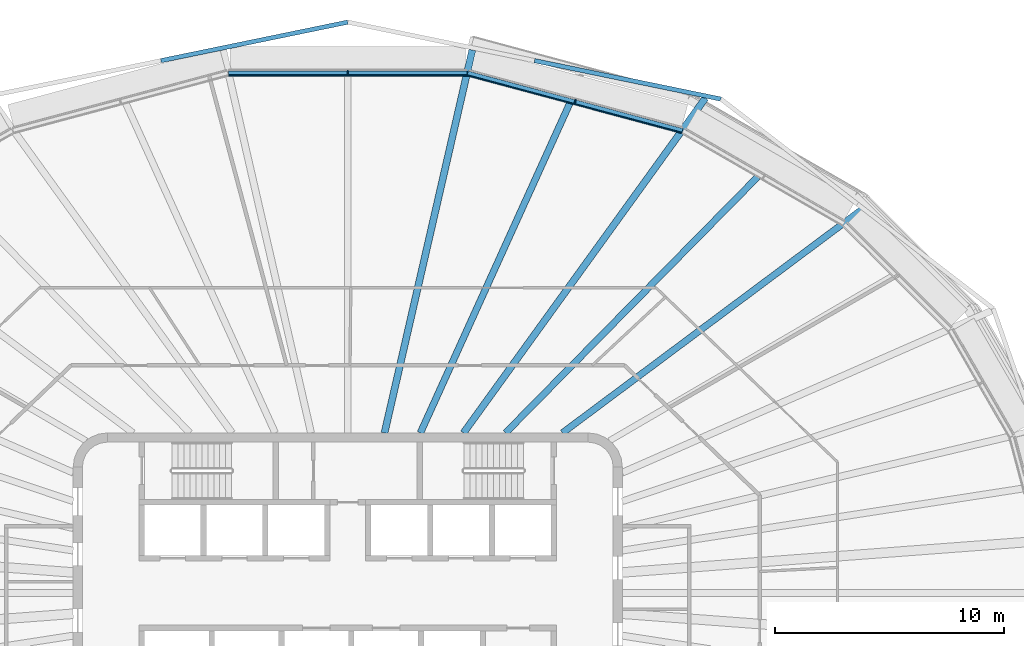
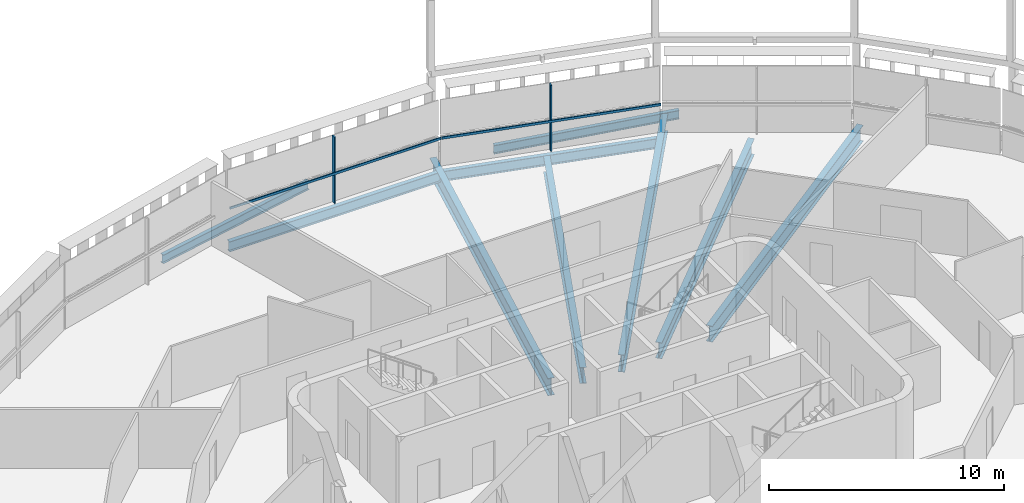
# One storey, part 7 of 20: 9 beams, 4 members, 2 elements without a shape of their own.
"""IFC4 building model written with IfcOpenShell, lengths in metres."""

import ifcopenshell
import ifcopenshell.guid

model = None  # the IFC model being written
_history = None  # IfcOwnerHistory: only IFC2X3 demands one
_inside = {}  # id of a spatial element -> (the spatial element, [elements in it])
_under = {}  # id of a project, library or spatial element -> (it, [spatial elements below it])
_declared = {}  # id of a project -> (the project, [libraries it declares])
_typed = {}  # id of a type object -> (the type object, [elements of that type])
_made_of = {}  # id of a material, layer set ... -> (it, [elements and type objects made of it])


def new_model(schema):
    """Start an empty IFC model of exactly this schema.

    Asked for "IFC4X3", IfcOpenShell would pick the latest addendum, in which some entities
    have other attributes; the version numbers below select the first issue.
    IFC2X3 requires an IfcOwnerHistory on every rooted entity: one is made here for all.
    """
    global model, _history
    if schema == "IFC4X3":
        model = ifcopenshell.file(schema_version=(4, 3, 0, 0))
    else:
        model = ifcopenshell.file(schema=schema)
    _inside.clear()
    _under.clear()
    _declared.clear()
    _typed.clear()
    _made_of.clear()
    _history = None
    if model.schema == "IFC2X3":
        org = make("IfcOrganization", Name="unknown")
        user = make(
            "IfcPersonAndOrganization",
            ThePerson=make("IfcPerson", FamilyName="unknown"),
            TheOrganization=org,
        )
        app = make(
            "IfcApplication",
            ApplicationDeveloper=org,
            Version="unknown",
            ApplicationFullName="unknown",
            ApplicationIdentifier="unknown",
        )
        _history = make(
            "IfcOwnerHistory",
            OwningUser=user,
            OwningApplication=app,
            ChangeAction="ADDED",
            CreationDate=0,
        )
    return model


def make(cls, **values):
    """One entity of the class cls with the attributes given. An attribute that is None is left unset."""
    return model.create_entity(
        cls, **{name: value for name, value in values.items() if value is not None}
    )


def rooted(cls, **values):
    """An entity with a GlobalId (a new one), such as an element, a storey or a relation."""
    return make(cls, GlobalId=ifcopenshell.guid.new(), OwnerHistory=_history, **values)


def si_unit(unit_type, name, prefix=None):
    """IfcSIUnit, for example si_unit("LENGTHUNIT", "METRE", prefix="MILLI")."""
    return make("IfcSIUnit", UnitType=unit_type, Prefix=prefix, Name=name)


def assignment(units):
    """IfcUnitAssignment: the units of a project."""
    return None if units is None else make("IfcUnitAssignment", Units=units)


def point(xyz):
    """IfcCartesianPoint."""
    return None if xyz is None else make("IfcCartesianPoint", Coordinates=xyz)


def direction(xyz):
    """IfcDirection."""
    return None if xyz is None else make("IfcDirection", DirectionRatios=xyz)


def frame(location, z_axis=None, x_axis=None):
    """IfcAxis2Placement3D, a coordinate frame: its origin and axes. An axis left out is left unset."""
    return make(
        "IfcAxis2Placement3D",
        Location=point(location),
        Axis=direction(z_axis),
        RefDirection=direction(x_axis),
    )


def frame_2d(location, x_axis=None):
    """IfcAxis2Placement2D, a coordinate frame in the plane: its origin and x axis."""
    return make(
        "IfcAxis2Placement2D", Location=point(location), RefDirection=direction(x_axis)
    )


def origin():
    """The frame at (0, 0, 0) with its axes left unset."""
    return frame((0.0, 0.0, 0.0))


def origin_2d():
    """The frame at (0, 0) in the plane with its x axis left unset."""
    return frame_2d((0.0, 0.0))


def place(relative_to, where):
    """IfcLocalPlacement: puts the frame where relative to a parent placement (None: the world)."""
    return make(
        "IfcLocalPlacement", PlacementRelTo=relative_to, RelativePlacement=where
    )


def context(
    kind, dimensions, precision=None, world=None, true_north=None, identifier=None
):
    """IfcGeometricRepresentationContext, for example the 3D "Model" context."""
    return make(
        "IfcGeometricRepresentationContext",
        ContextIdentifier=identifier,
        ContextType=kind,
        CoordinateSpaceDimension=dimensions,
        Precision=precision,
        WorldCoordinateSystem=world,
        TrueNorth=true_north,
    )


def subcontext(parent, identifier, kind, view, scale=None):
    """IfcGeometricRepresentationSubContext, for example "Body" below "Model"."""
    return make(
        "IfcGeometricRepresentationSubContext",
        ContextIdentifier=identifier,
        ContextType=kind,
        ParentContext=parent,
        TargetScale=scale,
        TargetView=view,
    )


def project(units=None, contexts=None):
    """IfcProject with its units and contexts."""
    return rooted(
        "IfcProject",
        Name="project",
        RepresentationContexts=contexts,
        UnitsInContext=assignment(units),
    )


def spatial(cls, under=None, at=None, **own):
    """A site, building, storey or space (cls), placed at a placement, below another one or the project."""
    s = rooted(cls, ObjectPlacement=at, **own)
    if under is not None:
        _under.setdefault(under.id(), (under, []))[1].append(s)
    return s


def profile(cls, at=None, kind="AREA", **sizes):
    """A parametric profile (cls). Its sizes go by their IFC names, for example OverallWidth=200.0."""
    return make(cls, ProfileType=kind, Position=at, **sizes)


def rectangle(**sizes):
    """IfcRectangleProfileDef."""
    return profile("IfcRectangleProfileDef", **sizes)


def i_section(**sizes):
    """IfcIShapeProfileDef."""
    return profile("IfcIShapeProfileDef", **sizes)


def extrude(swept, where, along, depth):
    """IfcExtrudedAreaSolid: the profile swept, set in the frame where, extruded along a direction by depth."""
    return make(
        "IfcExtrudedAreaSolid",
        SweptArea=swept,
        Position=where,
        ExtrudedDirection=direction(along),
        Depth=depth,
    )


def shape(context_of_items, identifier, shape_type, items):
    """IfcShapeRepresentation: the items that make up one representation, for example the "Body"."""
    return make(
        "IfcShapeRepresentation",
        ContextOfItems=context_of_items,
        RepresentationIdentifier=identifier,
        RepresentationType=shape_type,
        Items=items,
    )


def material(Name=None, Category=None):
    """IfcMaterial."""
    return make("IfcMaterial", Name=Name, Category=Category)


def layer(
    of_material, thickness, ventilated=None, Name=None, Category=None, Priority=None
):
    """IfcMaterialLayer: one layer of a wall or slab, of a material (None: an air gap)."""
    return make(
        "IfcMaterialLayer",
        Material=of_material,
        LayerThickness=thickness,
        IsVentilated=ventilated,
        Name=Name,
        Category=Category,
        Priority=Priority,
    )


def layer_set(layers, Name=None):
    """IfcMaterialLayerSet."""
    return make("IfcMaterialLayerSet", MaterialLayers=layers, LayerSetName=Name)


def material_profile(
    of_material, cross_section, Name=None, Category=None, Priority=None
):
    """IfcMaterialProfile: a cross section and its material."""
    return make(
        "IfcMaterialProfile",
        Name=Name,
        Material=of_material,
        Profile=cross_section,
        Priority=Priority,
        Category=Category,
    )


def profile_set(profiles, Name=None, composite=None):
    """IfcMaterialProfileSet."""
    return make(
        "IfcMaterialProfileSet",
        Name=Name,
        MaterialProfiles=profiles,
        CompositeProfile=composite,
    )


def made_of(thing, what):
    """Note that an element or type object is made of a material, layer set ...; save() writes the relation."""
    if what is not None:
        _made_of.setdefault(what.id(), (what, []))[1].append(thing)
    return thing


def type_object(cls, material=None, **own):
    """A type object (cls), such as IfcWallType, which elements share."""
    return made_of(rooted(cls, **own), material)


def element(
    cls,
    number,
    at=None,
    inside=None,
    cuts=None,
    type_object=None,
    material=None,
    context=None,
    identifier="Body",
    shape_type=None,
    held_by="IfcProductDefinitionShape",
    body=None,
    shapes=None,
    **own,
):
    """One element of the class cls, such as IfcWall. Its Tag is "e" and its number.

    at: its placement. inside: the storey or other place that contains it. cuts: it is an
    opening in that element (IfcRelVoidsElement). A single representation is given by context,
    identifier, shape_type and body (its items); several are given by shapes. held_by: the class
    of the entity that holds the representations. save() writes the other relations.
    """
    e = rooted(cls, Tag="e%d" % number, ObjectPlacement=at, **own)
    if body is not None:
        shapes = [shape(context, identifier, shape_type, body)]
    if shapes is not None:
        e.Representation = make(held_by, Representations=shapes)
    if inside is not None:
        _inside.setdefault(inside.id(), (inside, []))[1].append(e)
    if cuts is not None:
        rooted(
            "IfcRelVoidsElement", RelatingBuildingElement=cuts, RelatedOpeningElement=e
        )
    if type_object is not None:
        _typed.setdefault(type_object.id(), (type_object, []))[1].append(e)
    return made_of(e, material)


def aggregate(whole, parts):
    """IfcRelAggregates: a whole, such as a stair, and the parts it consists of."""
    return rooted("IfcRelAggregates", RelatingObject=whole, RelatedObjects=parts)


def save(model, path):
    """Write the relations noted so far, then the file.

    IfcRelAggregates (storeys below a building ...), IfcRelContainedInSpatialStructure (elements
    in a storey), IfcRelDefinesByType, IfcRelAssociatesMaterial and IfcRelDeclares: one each for
    every whole, place, type object, material and project.
    """
    for whole, parts in _under.values():
        aggregate(whole, parts)
    for where, things in _inside.values():
        rooted(
            "IfcRelContainedInSpatialStructure",
            RelatedElements=things,
            RelatingStructure=where,
        )
    for kind, things in _typed.values():
        rooted("IfcRelDefinesByType", RelatedObjects=things, RelatingType=kind)
    for what, things in _made_of.values():
        rooted("IfcRelAssociatesMaterial", RelatedObjects=things, RelatingMaterial=what)
    for by, libraries in _declared.values():
        rooted("IfcRelDeclares", RelatingContext=by, RelatedDefinitions=libraries)
    model.write(path)


model = new_model("IFC4")

# Units and contexts
model_context = context("Model", 3, precision=1e-05, world=origin(), true_north=direction((0.0, 1.0)))
body_context = subcontext(model_context, "Body", "Model", "MODEL_VIEW")
ifc_project = project(units=[si_unit("LENGTHUNIT", "METRE"), si_unit("AREAUNIT", "SQUARE_METRE"), si_unit("VOLUMEUNIT", "CUBIC_METRE"), si_unit("PLANEANGLEUNIT", "RADIAN"), si_unit("MASSUNIT", "GRAM", prefix="KILO")], contexts=[model_context])

# Site, building, storey
site_placement = place(None, origin())
site = spatial("IfcSite", under=ifc_project, at=site_placement, CompositionType="ELEMENT")
building_placement = place(site_placement, origin())
building = spatial("IfcBuilding", under=site, at=building_placement, Name="Sahrelin Media Tower", CompositionType="ELEMENT")
storey_placement = place(building_placement, frame((0.0, 0.0, 255.0)))
storey = spatial("IfcBuildingStorey", under=building, at=storey_placement, Name="L55", CompositionType="ELEMENT", Elevation=255.0)

# Beams
ifc_material_1 = material(Name="Steel S355", Category="steel")
ifc_material_profile_1 = material_profile(ifc_material_1, i_section(OverallWidth=0.208740234375, OverallDepth=0.5283203125, WebThickness=0.009521484375, FlangeThickness=0.01318359375, FilletRadius=0.0126953125, at=origin_2d()), Name="UB 533x210x82")
ifc_profile_set_1 = profile_set([ifc_material_profile_1], Name="Steel S355")
beam_type_1 = type_object("IfcBeamType", Name="Edge beam EB6", PredefinedType="BEAM", material=ifc_profile_set_1)
beam_1_placement = place(storey_placement, frame((-5.2109375, 22.71630859375, -0.414306640625), z_axis=(1.0, 0.0, 0.0), x_axis=(0.0, 1.0, 0.0)))
element("IfcBeam", 1, at=beam_1_placement, inside=storey, type_object=beam_type_1, Name="Edge beam L55-19", PredefinedType="BEAM", context=body_context, shape_type="SweptSolid", body=[
    extrude(i_section(OverallWidth=0.208740234375, OverallDepth=0.5283203125, WebThickness=0.009521484375, FlangeThickness=0.01318359375, FilletRadius=0.0126953125, at=origin_2d()), origin(), (0.0, 0.0, 1.0), 10.421875),
])
beam_2_placement = place(storey_placement, frame((5.239501953125, 22.71240234375, -0.414306640625), z_axis=(0.965930098294, -0.258803101237, 0.0), x_axis=(0.258803101237, 0.965930098294, 0.0)))
element("IfcBeam", 2, at=beam_2_placement, inside=storey, type_object=beam_type_1, Name="Edge beam L55-20", PredefinedType="BEAM", context=body_context, shape_type="SweptSolid", body=[
    extrude(i_section(OverallWidth=0.208740234375, OverallDepth=0.5283203125, WebThickness=0.009521484375, FlangeThickness=0.01318359375, FilletRadius=0.0126953125, at=origin_2d()), origin(), (0.0, 0.0, 1.0), 9.711669921875),
])

# Curtain wall, member
ifc_material_2 = material(Name="Champagne anodised aluminium 6063-T6", Category="aluminium")
ifc_layer = layer(ifc_material_2, 0.14990234375)
ifc_layer_set = layer_set([ifc_layer], Name="Tower ribbon curtain wall")
curtain_wall_type = type_object("IfcCurtainWallType", Name="Tower ribbon curtain wall", PredefinedType="NOTDEFINED", material=ifc_layer_set)
curtain_wall_1_placement = place(storey_placement, frame((9.96875, 21.6005859375, 0.0), z_axis=(0.0, 0.0, 1.0), x_axis=(1.0, 0.0, 0.0)))
curtain_wall_1 = element("IfcCurtainWall", 3, at=curtain_wall_1_placement, inside=storey, type_object=curtain_wall_type, Name="L55:CW:L55-05", PredefinedType="NOTDEFINED")
ifc_material_profile_2 = material_profile(ifc_material_2, rectangle(XDim=0.06005859375, YDim=0.199951171875, at=origin_2d()), Name="Mullion 60x200")
ifc_profile_set_2 = profile_set([ifc_material_profile_2], Name="Champagne anodised aluminium 6063-T6")
member_type_1 = type_object("IfcMemberType", Name="Mullion 60x200 CW1C", PredefinedType="MULLION", material=ifc_profile_set_2)
member_1_placement = place(storey_placement, frame((9.937744140625, 21.484619140625, 0.0), z_axis=(0.0, 0.0, 1.0), x_axis=(-0.965926729732, 0.258815673384, 0.0)))
member_1 = element("IfcMember", 4, at=member_1_placement, type_object=member_type_1, Name="L55:CWM:L55-05", PredefinedType="MULLION", context=body_context, shape_type="SweptSolid", body=[
    extrude(rectangle(XDim=0.06005859375, YDim=0.199951171875, at=origin_2d()), origin(), (0.0, 0.0, 1.0), 3.448486328125),
])

curtain_wall_2_placement = place(storey_placement, frame((0.0, 22.8662109375, 0.0), z_axis=(0.0, 0.0, 1.0), x_axis=(1.0, 0.0, 0.0)))
curtain_wall_2 = element("IfcCurtainWall", 5, at=curtain_wall_2_placement, inside=storey, type_object=curtain_wall_type, Name="L55:CW:L55-06", PredefinedType="NOTDEFINED")
member_2_placement = place(storey_placement, frame((0.0, 22.746337890625, 0.0), z_axis=(0.0, 0.0, 1.0), x_axis=(-1.0, 0.0, 0.0)))
member_2 = element("IfcMember", 6, at=member_2_placement, type_object=member_type_1, Name="L55:CWM:L55-06", PredefinedType="MULLION", context=body_context, shape_type="SweptSolid", body=[
    extrude(rectangle(XDim=0.06005859375, YDim=0.199951171875, at=origin_2d()), origin(), (0.0, 0.0, 1.0), 3.448486328125),
])

# Beams
ifc_material_profile_3 = material_profile(ifc_material_1, i_section(OverallWidth=0.291748046875, OverallDepth=0.8349609375, WebThickness=0.013916015625, FlangeThickness=0.018798828125, FilletRadius=0.017822265625, at=origin_2d()), Name="UB 838x292x176")
ifc_profile_set_3 = profile_set([ifc_material_profile_3], Name="Steel S355")
beam_type_2 = type_object("IfcBeamType", Name="Radial primary beam PB10", PredefinedType="BEAM", material=ifc_profile_set_3)
beam_3_placement = place(storey_placement, frame((9.38330078125, 7.0, -0.5673828125), z_axis=(0.801539735745, 0.597941512209, 0.0), x_axis=(-0.597941512209, 0.801539735745, 0.0)))
element("IfcBeam", 7, at=beam_3_placement, inside=storey, type_object=beam_type_2, Name="Radial beam L55-04", PredefinedType="BEAM", context=body_context, shape_type="SweptSolid", body=[
    extrude(i_section(OverallWidth=0.291748046875, OverallDepth=0.8349609375, WebThickness=0.013916015625, FlangeThickness=0.018798828125, FilletRadius=0.017822265625, at=origin_2d()), origin(), (0.0, 0.0, 1.0), 16.29736328125),
])
ifc_material_profile_4 = material_profile(ifc_material_1, i_section(OverallWidth=0.30322265625, OverallDepth=0.903076171875, WebThickness=0.01513671875, FlangeThickness=0.020263671875, FilletRadius=0.01904296875, at=origin_2d()), Name="UB 914x305x201")
ifc_profile_set_4 = profile_set([ifc_material_profile_4], Name="Steel S355")
beam_type_3 = type_object("IfcBeamType", Name="Radial primary beam PB11", PredefinedType="BEAM", material=ifc_profile_set_4)
beam_4_placement = place(storey_placement, frame((5.0576171875, 7.0, -0.6015625), z_axis=(0.585640185113, 0.810571140357, 0.0), x_axis=(-0.810571140357, 0.585640185113, 0.0)))
element("IfcBeam", 8, at=beam_4_placement, inside=storey, type_object=beam_type_3, Name="Radial beam L55-05", PredefinedType="BEAM", context=body_context, shape_type="SweptSolid", body=[
    extrude(i_section(OverallWidth=0.30322265625, OverallDepth=0.903076171875, WebThickness=0.01513671875, FlangeThickness=0.020263671875, FilletRadius=0.01904296875, at=origin_2d()), origin(), (0.0, 0.0, 1.0), 18.049072265625),
])
beam_5_placement = place(storey_placement, frame((1.605712890625, 7.0, -0.6015625), z_axis=(0.223577449176, 0.97468616704, 0.0), x_axis=(-0.97468616704, 0.223577449176, 0.0)))
element("IfcBeam", 9, at=beam_5_placement, inside=storey, type_object=beam_type_3, Name="Radial beam L55-06", PredefinedType="BEAM", context=body_context, shape_type="SweptSolid", body=[
    extrude(i_section(OverallWidth=0.30322265625, OverallDepth=0.903076171875, WebThickness=0.01513671875, FlangeThickness=0.020263671875, FilletRadius=0.01904296875, at=origin_2d()), origin(), (0.0, 0.0, 1.0), 17.164794921875),
])
ifc_material_profile_5 = material_profile(ifc_material_1, i_section(OverallWidth=0.291748046875, OverallDepth=0.8349609375, WebThickness=0.013916015625, FlangeThickness=0.018798828125, FilletRadius=0.017822265625, at=origin_2d()), Name="UB 838x292x176")
ifc_profile_set_5 = profile_set([ifc_material_profile_5], Name="Steel S355")
beam_type_4 = type_object("IfcBeamType", Name="Radial secondary beam SB10", PredefinedType="BEAM", material=ifc_profile_set_5)
beam_6_placement = place(storey_placement, frame((6.89404296875, 7.0, -0.5673828125), z_axis=(0.701692640236, 0.712479781214, 0.0), x_axis=(-0.712479781214, 0.701692640236, 0.0)))
element("IfcBeam", 10, at=beam_6_placement, inside=storey, type_object=beam_type_4, Name="Secondary beam L55-04", PredefinedType="BEAM", context=body_context, shape_type="SweptSolid", body=[
    extrude(i_section(OverallWidth=0.291748046875, OverallDepth=0.8349609375, WebThickness=0.013916015625, FlangeThickness=0.018798828125, FilletRadius=0.017822265625, at=origin_2d()), origin(), (0.0, 0.0, 1.0), 15.70703125),
])
beam_7_placement = place(storey_placement, frame((3.173095703125, 7.0, -0.5673828125), z_axis=(0.412850412091, 0.910798845649, 0.0), x_axis=(-0.910798845649, 0.412850412091, 0.0)))
element("IfcBeam", 11, at=beam_7_placement, inside=storey, type_object=beam_type_4, Name="Secondary beam L55-05", PredefinedType="BEAM", context=body_context, shape_type="SweptSolid", body=[
    extrude(i_section(OverallWidth=0.291748046875, OverallDepth=0.8349609375, WebThickness=0.013916015625, FlangeThickness=0.018798828125, FilletRadius=0.017822265625, at=origin_2d()), origin(), (0.0, 0.0, 1.0), 15.8193359375),
])
ifc_material_profile_6 = material_profile(ifc_material_1, i_section(OverallWidth=0.1904296875, OverallDepth=0.45703125, WebThickness=0.009033203125, FlangeThickness=0.014404296875, FilletRadius=0.01025390625, at=origin_2d()), Name="UB 457x191x74")
ifc_profile_set_6 = profile_set([ifc_material_profile_6], Name="Steel S355")
beam_type_5 = type_object("IfcBeamType", Name="Tie chord TC5", PredefinedType="BEAM", material=ifc_profile_set_6)
beam_8_placement = place(storey_placement, frame((-8.1611328125, 23.266845703125, -0.37841796875), z_axis=(0.979377314884, 0.202039785911, 0.0), x_axis=(-0.202039785911, 0.979377314884, 0.0)))
element("IfcBeam", 12, at=beam_8_placement, inside=storey, type_object=beam_type_5, Name="Tie chord L55-18", PredefinedType="BEAM", context=body_context, shape_type="SweptSolid", body=[
    extrude(i_section(OverallWidth=0.1904296875, OverallDepth=0.45703125, WebThickness=0.009033203125, FlangeThickness=0.014404296875, FilletRadius=0.01025390625, at=origin_2d()), origin(), (0.0, 0.0, 1.0), 8.3330078125),
])
beam_9_placement = place(storey_placement, frame((8.1611328125, 23.266845703125, -0.37841796875), z_axis=(0.979395476459, -0.201951728619, 0.0), x_axis=(0.201951728619, 0.979395476459, 0.0)))
element("IfcBeam", 13, at=beam_9_placement, inside=storey, type_object=beam_type_5, Name="Tie chord L55-20", PredefinedType="BEAM", context=body_context, shape_type="SweptSolid", body=[
    extrude(i_section(OverallWidth=0.1904296875, OverallDepth=0.45703125, WebThickness=0.009033203125, FlangeThickness=0.014404296875, FilletRadius=0.01025390625, at=origin_2d()), origin(), (0.0, 0.0, 1.0), 8.322021484375),
])

# Member
ifc_material_profile_7 = material_profile(ifc_material_2, rectangle(XDim=0.050048828125, YDim=0.1201171875, at=origin_2d()), Name="Transom 50x120")
ifc_profile_set_7 = profile_set([ifc_material_profile_7], Name="Champagne anodised aluminium 6063-T6")
member_type_2 = type_object("IfcMemberType", Name="Transom 50x120 CW1C", PredefinedType="USERDEFINED", material=ifc_profile_set_7)
member_3_placement = place(storey_placement, frame((14.58056640625, 20.111328125, 1.60009765625), z_axis=(-0.96592868915, 0.258808360524, 0.0), x_axis=(-0.258808360524, -0.96592868915, 0.0)))
member_3 = element("IfcMember", 14, at=member_3_placement, type_object=member_type_2, Name="L55:CWT:L55-05", ObjectType="TRANSOM", PredefinedType="USERDEFINED", context=body_context, shape_type="SweptSolid", body=[
    extrude(rectangle(XDim=0.050048828125, YDim=0.1201171875, at=origin_2d()), origin(), (0.0, 0.0, 1.0), 9.680419921875),
])

aggregate(curtain_wall_1, [member_1, member_3])

member_4_placement = place(storey_placement, frame((5.1953125, 22.621337890625, 1.60009765625), z_axis=(-1.0, 0.0, 0.0), x_axis=(0.0, -1.0, 0.0)))
member_4 = element("IfcMember", 15, at=member_4_placement, type_object=member_type_2, Name="L55:CWT:L55-06", ObjectType="TRANSOM", PredefinedType="USERDEFINED", context=body_context, shape_type="SweptSolid", body=[
    extrude(rectangle(XDim=0.050048828125, YDim=0.1201171875, at=origin_2d()), origin(), (0.0, 0.0, 1.0), 10.390625),
])

aggregate(curtain_wall_2, [member_2, member_4])

save(model, "model.ifc")
